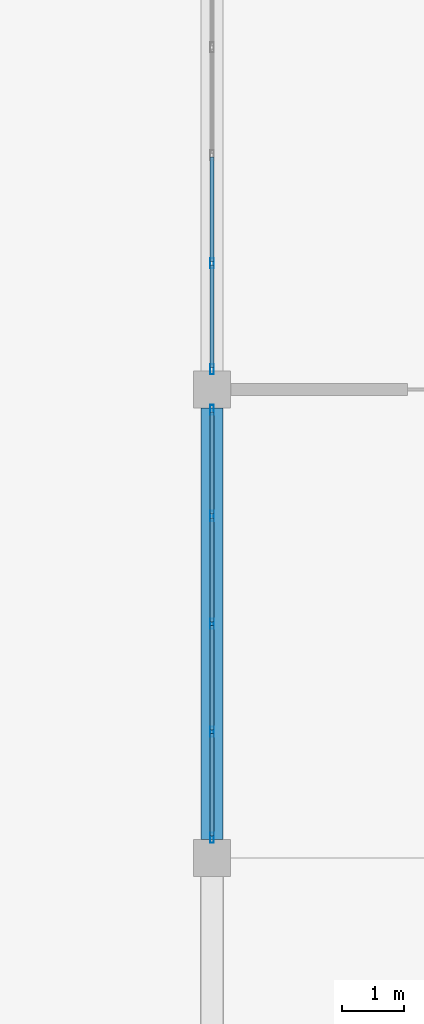
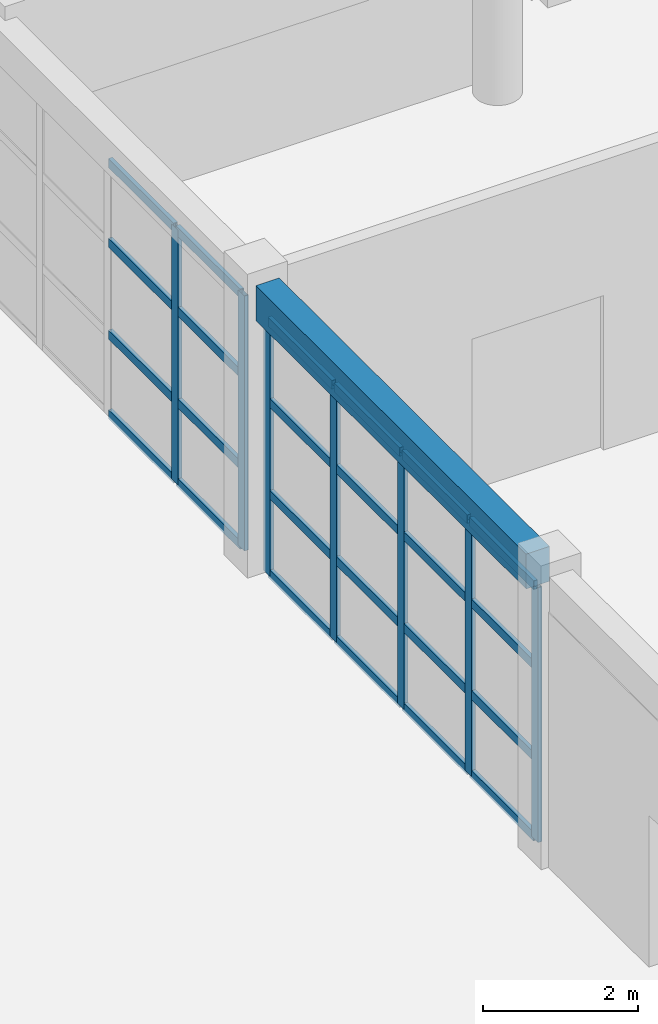
# One storey, part 8 of 32: 31 members, 1 beam, 2 elements without a shape of their own.
"""IFC4 building model written with IfcOpenShell, lengths in metres."""

from ifc_helpers import new_model, si_unit, direction, frame, origin, origin_2d, place, context, subcontext, project, spatial, rectangle, hollow_rectangle, extrude, material, material_profile, profile_set, type_object, element, aggregate, save


model = new_model("IFC4")

# Units and contexts
model_context = context("Model", 3, precision=1e-05, world=origin(), true_north=direction((0.0, 1.0)))
body_context = subcontext(model_context, "Body", "Model", "MODEL_VIEW")
ifc_project = project(units=[si_unit("LENGTHUNIT", "METRE"), si_unit("AREAUNIT", "SQUARE_METRE"), si_unit("VOLUMEUNIT", "CUBIC_METRE"), si_unit("PLANEANGLEUNIT", "RADIAN"), si_unit("MASSUNIT", "GRAM", prefix="KILO")], contexts=[model_context])

# Site, building, storey
site_placement = place(None, origin())
site = spatial("IfcSite", under=ifc_project, at=site_placement, CompositionType="ELEMENT")
building_placement = place(site_placement, origin())
building = spatial("IfcBuilding", under=site, at=building_placement, Name="Zantavel Square City Hall", CompositionType="ELEMENT")
storey_placement = place(building_placement, frame((0.0, 0.0, 23.699951171875)))
storey = spatial("IfcBuildingStorey", under=building, at=storey_placement, Name="L06", CompositionType="ELEMENT", Elevation=23.699951171875)

# Curtain wall, members
ifc_material_1 = material(Name="Anodised aluminium 6063-T6", Category="aluminium")
curtain_wall_type = type_object("IfcCurtainWallType", Name="Curtain Wall TRV1 7000x4030", PredefinedType="USERDEFINED", material=ifc_material_1)
curtain_wall_1_placement = place(storey_placement, origin())
curtain_wall_1 = element("IfcCurtainWall", 1, at=curtain_wall_1_placement, inside=storey, type_object=curtain_wall_type, Name="L06 Glazed Curtain Wall CW-L06-144", ObjectType="GLAZED CURTAIN WALL", PredefinedType="USERDEFINED")
ifc_material_profile_1 = material_profile(ifc_material_1, hollow_rectangle(XDim=0.06005859375, YDim=0.1650390625, WallThickness=0.00390625, at=origin_2d()), Name="ALU 60x165x4")
ifc_profile_set_1 = profile_set([ifc_material_profile_1], Name="Anodised aluminium 6063-T6")
member_type_1 = type_object("IfcMemberType", Name="CW Council Gallery Mullion ALU 60x165x4", PredefinedType="MULLION", material=ifc_profile_set_1)
member_1_placement = place(storey_placement, frame((64.0, 53.530029296875, 0.0), z_axis=(0.0, 0.0, 1.0), x_axis=(-1.0, 0.0, 0.0)))
member_1 = element("IfcMember", 2, at=member_1_placement, type_object=member_type_1, Name="CW-144 mullion 1", PredefinedType="MULLION", context=body_context, shape_type="SweptSolid", body=[
    extrude(hollow_rectangle(XDim=0.06005859375, YDim=0.1650390625, WallThickness=0.00390625, at=origin_2d()), origin(), (0.0, 0.0, 1.0), 4.030029296875),
])
member_2_placement = place(storey_placement, frame((64.0, 55.25, 0.0), z_axis=(0.0, 0.0, 1.0), x_axis=(-1.0, 0.0, 0.0)))
member_2 = element("IfcMember", 3, at=member_2_placement, type_object=member_type_1, Name="CW-144 mullion 2", PredefinedType="MULLION", context=body_context, shape_type="SweptSolid", body=[
    extrude(hollow_rectangle(XDim=0.06005859375, YDim=0.1650390625, WallThickness=0.00390625, at=origin_2d()), origin(), (0.0, 0.0, 1.0), 4.030029296875),
])

curtain_wall_2_placement = place(storey_placement, origin())
curtain_wall_2 = element("IfcCurtainWall", 4, at=curtain_wall_2_placement, inside=storey, type_object=curtain_wall_type, Name="L06 Glazed Curtain Wall CW-L06-159", ObjectType="GLAZED CURTAIN WALL", PredefinedType="USERDEFINED")
member_3_placement = place(storey_placement, frame((64.0, 45.929931640625, 0.0), z_axis=(0.0, 0.0, 1.0), x_axis=(-1.0, 0.0, 0.0)))
member_3 = element("IfcMember", 5, at=member_3_placement, type_object=member_type_1, Name="CW-159 mullion 1", PredefinedType="MULLION", context=body_context, shape_type="SweptSolid", body=[
    extrude(hollow_rectangle(XDim=0.06005859375, YDim=0.1650390625, WallThickness=0.00390625, at=origin_2d()), origin(), (0.0, 0.0, 1.0), 4.030029296875),
])
member_4_placement = place(storey_placement, frame((64.0, 47.64990234375, 0.0), z_axis=(0.0, 0.0, 1.0), x_axis=(-1.0, 0.0, 0.0)))
member_4 = element("IfcMember", 6, at=member_4_placement, type_object=member_type_1, Name="CW-159 mullion 2", PredefinedType="MULLION", context=body_context, shape_type="SweptSolid", body=[
    extrude(hollow_rectangle(XDim=0.06005859375, YDim=0.1650390625, WallThickness=0.00390625, at=origin_2d()), origin(), (0.0, 0.0, 1.0), 4.030029296875),
])
member_5_placement = place(storey_placement, frame((64.0, 49.39990234375, 0.0), z_axis=(0.0, 0.0, 1.0), x_axis=(-1.0, 0.0, 0.0)))
member_5 = element("IfcMember", 7, at=member_5_placement, type_object=member_type_1, Name="CW-159 mullion 3", PredefinedType="MULLION", context=body_context, shape_type="SweptSolid", body=[
    extrude(hollow_rectangle(XDim=0.06005859375, YDim=0.1650390625, WallThickness=0.00390625, at=origin_2d()), origin(), (0.0, 0.0, 1.0), 4.030029296875),
])
member_6_placement = place(storey_placement, frame((64.0, 51.14990234375, 0.0), z_axis=(0.0, 0.0, 1.0), x_axis=(-1.0, 0.0, 0.0)))
member_6 = element("IfcMember", 8, at=member_6_placement, type_object=member_type_1, Name="CW-159 mullion 4", PredefinedType="MULLION", context=body_context, shape_type="SweptSolid", body=[
    extrude(hollow_rectangle(XDim=0.06005859375, YDim=0.1650390625, WallThickness=0.00390625, at=origin_2d()), origin(), (0.0, 0.0, 1.0), 4.030029296875),
])
member_7_placement = place(storey_placement, frame((64.0, 52.8701171875, 0.0), z_axis=(0.0, 0.0, 1.0), x_axis=(-1.0, 0.0, 0.0)))
member_7 = element("IfcMember", 9, at=member_7_placement, type_object=member_type_1, Name="CW-159 mullion 5", PredefinedType="MULLION", context=body_context, shape_type="SweptSolid", body=[
    extrude(hollow_rectangle(XDim=0.06005859375, YDim=0.1650390625, WallThickness=0.00390625, at=origin_2d()), origin(), (0.0, 0.0, 1.0), 4.030029296875),
])

# Member
ifc_material_profile_2 = material_profile(ifc_material_1, hollow_rectangle(XDim=0.06005859375, YDim=0.139892578125, WallThickness=0.00390625, at=origin_2d()), Name="ALU 60x140x4")
ifc_profile_set_2 = profile_set([ifc_material_profile_2], Name="Anodised aluminium 6063-T6")
member_type_2 = type_object("IfcMemberType", Name="CW Transom ALU 60x140x4", PredefinedType="USERDEFINED", material=ifc_profile_set_2)
member_8_placement = place(storey_placement, frame((64.0, 53.56005859375, 0.030029296875), z_axis=(0.0, 1.0, 0.0), x_axis=(-1.0, 0.0, 0.0)))
member_8 = element("IfcMember", 10, at=member_8_placement, type_object=member_type_2, Name="CW-144 transom 1.1", ObjectType="TRANSOM", PredefinedType="USERDEFINED", context=body_context, shape_type="SweptSolid", body=[
    extrude(hollow_rectangle(XDim=0.06005859375, YDim=0.139892578125, WallThickness=0.00390625, at=origin_2d()), origin(), (0.0, 0.0, 1.0), 1.659912109375),
])

member_9_placement = place(storey_placement, frame((64.0, 53.56005859375, 1.2900390625), z_axis=(0.0, 1.0, 0.0), x_axis=(-1.0, 0.0, 0.0)))
member_9 = element("IfcMember", 11, at=member_9_placement, type_object=member_type_2, Name="CW-144 transom 1.2", ObjectType="TRANSOM", PredefinedType="USERDEFINED", context=body_context, shape_type="SweptSolid", body=[
    extrude(hollow_rectangle(XDim=0.06005859375, YDim=0.139892578125, WallThickness=0.00390625, at=origin_2d()), origin(), (0.0, 0.0, 1.0), 1.659912109375),
])

member_10_placement = place(storey_placement, frame((64.0, 53.56005859375, 2.739990234375), z_axis=(0.0, 1.0, 0.0), x_axis=(-1.0, 0.0, 0.0)))
member_10 = element("IfcMember", 12, at=member_10_placement, type_object=member_type_2, Name="CW-144 transom 1.3", ObjectType="TRANSOM", PredefinedType="USERDEFINED", context=body_context, shape_type="SweptSolid", body=[
    extrude(hollow_rectangle(XDim=0.06005859375, YDim=0.139892578125, WallThickness=0.00390625, at=origin_2d()), origin(), (0.0, 0.0, 1.0), 1.659912109375),
])

member_11_placement = place(storey_placement, frame((64.0, 53.56005859375, 4.0), z_axis=(0.0, 1.0, 0.0), x_axis=(-1.0, 0.0, 0.0)))
member_11 = element("IfcMember", 13, at=member_11_placement, type_object=member_type_2, Name="CW-144 transom 1.4", ObjectType="TRANSOM", PredefinedType="USERDEFINED", context=body_context, shape_type="SweptSolid", body=[
    extrude(hollow_rectangle(XDim=0.06005859375, YDim=0.139892578125, WallThickness=0.00390625, at=origin_2d()), origin(), (0.0, 0.0, 1.0), 1.659912109375),
])

member_12_placement = place(storey_placement, frame((64.0, 55.280029296875, 0.030029296875), z_axis=(0.0, 1.0, 0.0), x_axis=(-1.0, 0.0, 0.0)))
member_12 = element("IfcMember", 14, at=member_12_placement, type_object=member_type_2, Name="CW-144 transom 2.1", ObjectType="TRANSOM", PredefinedType="USERDEFINED", context=body_context, shape_type="SweptSolid", body=[
    extrude(hollow_rectangle(XDim=0.06005859375, YDim=0.139892578125, WallThickness=0.00390625, at=origin_2d()), origin(), (0.0, 0.0, 1.0), 1.68994140625),
])

member_13_placement = place(storey_placement, frame((64.0, 55.280029296875, 1.2900390625), z_axis=(0.0, 1.0, 0.0), x_axis=(-1.0, 0.0, 0.0)))
member_13 = element("IfcMember", 15, at=member_13_placement, type_object=member_type_2, Name="CW-144 transom 2.2", ObjectType="TRANSOM", PredefinedType="USERDEFINED", context=body_context, shape_type="SweptSolid", body=[
    extrude(hollow_rectangle(XDim=0.06005859375, YDim=0.139892578125, WallThickness=0.00390625, at=origin_2d()), origin(), (0.0, 0.0, 1.0), 1.68994140625),
])

member_14_placement = place(storey_placement, frame((64.0, 55.280029296875, 2.739990234375), z_axis=(0.0, 1.0, 0.0), x_axis=(-1.0, 0.0, 0.0)))
member_14 = element("IfcMember", 16, at=member_14_placement, type_object=member_type_2, Name="CW-144 transom 2.3", ObjectType="TRANSOM", PredefinedType="USERDEFINED", context=body_context, shape_type="SweptSolid", body=[
    extrude(hollow_rectangle(XDim=0.06005859375, YDim=0.139892578125, WallThickness=0.00390625, at=origin_2d()), origin(), (0.0, 0.0, 1.0), 1.68994140625),
])

member_15_placement = place(storey_placement, frame((64.0, 55.280029296875, 4.0), z_axis=(0.0, 1.0, 0.0), x_axis=(-1.0, 0.0, 0.0)))
member_15 = element("IfcMember", 17, at=member_15_placement, type_object=member_type_2, Name="CW-144 transom 2.4", ObjectType="TRANSOM", PredefinedType="USERDEFINED", context=body_context, shape_type="SweptSolid", body=[
    extrude(hollow_rectangle(XDim=0.06005859375, YDim=0.139892578125, WallThickness=0.00390625, at=origin_2d()), origin(), (0.0, 0.0, 1.0), 1.68994140625),
])

aggregate(curtain_wall_1, [member_1, member_2, member_8, member_9, member_10, member_11, member_12, member_13, member_14, member_15])

member_16_placement = place(storey_placement, frame((64.0, 45.9599609375, 0.030029296875), z_axis=(0.0, 1.0, 0.0), x_axis=(-1.0, 0.0, 0.0)))
member_16 = element("IfcMember", 18, at=member_16_placement, type_object=member_type_2, Name="CW-159 transom 1.1", ObjectType="TRANSOM", PredefinedType="USERDEFINED", context=body_context, shape_type="SweptSolid", body=[
    extrude(hollow_rectangle(XDim=0.06005859375, YDim=0.139892578125, WallThickness=0.00390625, at=origin_2d()), origin(), (0.0, 0.0, 1.0), 1.66015625),
])

member_17_placement = place(storey_placement, frame((64.0, 45.9599609375, 1.2900390625), z_axis=(0.0, 1.0, 0.0), x_axis=(-1.0, 0.0, 0.0)))
member_17 = element("IfcMember", 19, at=member_17_placement, type_object=member_type_2, Name="CW-159 transom 1.2", ObjectType="TRANSOM", PredefinedType="USERDEFINED", context=body_context, shape_type="SweptSolid", body=[
    extrude(hollow_rectangle(XDim=0.06005859375, YDim=0.139892578125, WallThickness=0.00390625, at=origin_2d()), origin(), (0.0, 0.0, 1.0), 1.66015625),
])

member_18_placement = place(storey_placement, frame((64.0, 45.9599609375, 2.739990234375), z_axis=(0.0, 1.0, 0.0), x_axis=(-1.0, 0.0, 0.0)))
member_18 = element("IfcMember", 20, at=member_18_placement, type_object=member_type_2, Name="CW-159 transom 1.3", ObjectType="TRANSOM", PredefinedType="USERDEFINED", context=body_context, shape_type="SweptSolid", body=[
    extrude(hollow_rectangle(XDim=0.06005859375, YDim=0.139892578125, WallThickness=0.00390625, at=origin_2d()), origin(), (0.0, 0.0, 1.0), 1.66015625),
])

member_19_placement = place(storey_placement, frame((64.0, 45.9599609375, 4.0), z_axis=(0.0, 1.0, 0.0), x_axis=(-1.0, 0.0, 0.0)))
member_19 = element("IfcMember", 21, at=member_19_placement, type_object=member_type_2, Name="CW-159 transom 1.4", ObjectType="TRANSOM", PredefinedType="USERDEFINED", context=body_context, shape_type="SweptSolid", body=[
    extrude(hollow_rectangle(XDim=0.06005859375, YDim=0.139892578125, WallThickness=0.00390625, at=origin_2d()), origin(), (0.0, 0.0, 1.0), 1.66015625),
])

member_20_placement = place(storey_placement, frame((64.0, 47.679931640625, 0.030029296875), z_axis=(0.0, 1.0, 0.0), x_axis=(-1.0, 0.0, 0.0)))
member_20 = element("IfcMember", 22, at=member_20_placement, type_object=member_type_2, Name="CW-159 transom 2.1", ObjectType="TRANSOM", PredefinedType="USERDEFINED", context=body_context, shape_type="SweptSolid", body=[
    extrude(hollow_rectangle(XDim=0.06005859375, YDim=0.139892578125, WallThickness=0.00390625, at=origin_2d()), origin(), (0.0, 0.0, 1.0), 1.690185546875),
])

member_21_placement = place(storey_placement, frame((64.0, 47.679931640625, 1.2900390625), z_axis=(0.0, 1.0, 0.0), x_axis=(-1.0, 0.0, 0.0)))
member_21 = element("IfcMember", 23, at=member_21_placement, type_object=member_type_2, Name="CW-159 transom 2.2", ObjectType="TRANSOM", PredefinedType="USERDEFINED", context=body_context, shape_type="SweptSolid", body=[
    extrude(hollow_rectangle(XDim=0.06005859375, YDim=0.139892578125, WallThickness=0.00390625, at=origin_2d()), origin(), (0.0, 0.0, 1.0), 1.690185546875),
])

member_22_placement = place(storey_placement, frame((64.0, 47.679931640625, 2.739990234375), z_axis=(0.0, 1.0, 0.0), x_axis=(-1.0, 0.0, 0.0)))
member_22 = element("IfcMember", 24, at=member_22_placement, type_object=member_type_2, Name="CW-159 transom 2.3", ObjectType="TRANSOM", PredefinedType="USERDEFINED", context=body_context, shape_type="SweptSolid", body=[
    extrude(hollow_rectangle(XDim=0.06005859375, YDim=0.139892578125, WallThickness=0.00390625, at=origin_2d()), origin(), (0.0, 0.0, 1.0), 1.690185546875),
])

member_23_placement = place(storey_placement, frame((64.0, 47.679931640625, 4.0), z_axis=(0.0, 1.0, 0.0), x_axis=(-1.0, 0.0, 0.0)))
member_23 = element("IfcMember", 25, at=member_23_placement, type_object=member_type_2, Name="CW-159 transom 2.4", ObjectType="TRANSOM", PredefinedType="USERDEFINED", context=body_context, shape_type="SweptSolid", body=[
    extrude(hollow_rectangle(XDim=0.06005859375, YDim=0.139892578125, WallThickness=0.00390625, at=origin_2d()), origin(), (0.0, 0.0, 1.0), 1.690185546875),
])

member_24_placement = place(storey_placement, frame((64.0, 49.429931640625, 0.030029296875), z_axis=(0.0, 1.0, 0.0), x_axis=(-1.0, 0.0, 0.0)))
member_24 = element("IfcMember", 26, at=member_24_placement, type_object=member_type_2, Name="CW-159 transom 3.1", ObjectType="TRANSOM", PredefinedType="USERDEFINED", context=body_context, shape_type="SweptSolid", body=[
    extrude(hollow_rectangle(XDim=0.06005859375, YDim=0.139892578125, WallThickness=0.00390625, at=origin_2d()), origin(), (0.0, 0.0, 1.0), 1.690185546875),
])

member_25_placement = place(storey_placement, frame((64.0, 49.429931640625, 1.2900390625), z_axis=(0.0, 1.0, 0.0), x_axis=(-1.0, 0.0, 0.0)))
member_25 = element("IfcMember", 27, at=member_25_placement, type_object=member_type_2, Name="CW-159 transom 3.2", ObjectType="TRANSOM", PredefinedType="USERDEFINED", context=body_context, shape_type="SweptSolid", body=[
    extrude(hollow_rectangle(XDim=0.06005859375, YDim=0.139892578125, WallThickness=0.00390625, at=origin_2d()), origin(), (0.0, 0.0, 1.0), 1.690185546875),
])

member_26_placement = place(storey_placement, frame((64.0, 49.429931640625, 2.739990234375), z_axis=(0.0, 1.0, 0.0), x_axis=(-1.0, 0.0, 0.0)))
member_26 = element("IfcMember", 28, at=member_26_placement, type_object=member_type_2, Name="CW-159 transom 3.3", ObjectType="TRANSOM", PredefinedType="USERDEFINED", context=body_context, shape_type="SweptSolid", body=[
    extrude(hollow_rectangle(XDim=0.06005859375, YDim=0.139892578125, WallThickness=0.00390625, at=origin_2d()), origin(), (0.0, 0.0, 1.0), 1.690185546875),
])

member_27_placement = place(storey_placement, frame((64.0, 49.429931640625, 4.0), z_axis=(0.0, 1.0, 0.0), x_axis=(-1.0, 0.0, 0.0)))
member_27 = element("IfcMember", 29, at=member_27_placement, type_object=member_type_2, Name="CW-159 transom 3.4", ObjectType="TRANSOM", PredefinedType="USERDEFINED", context=body_context, shape_type="SweptSolid", body=[
    extrude(hollow_rectangle(XDim=0.06005859375, YDim=0.139892578125, WallThickness=0.00390625, at=origin_2d()), origin(), (0.0, 0.0, 1.0), 1.690185546875),
])

member_28_placement = place(storey_placement, frame((64.0, 51.179931640625, 0.030029296875), z_axis=(0.0, 1.0, 0.0), x_axis=(-1.0, 0.0, 0.0)))
member_28 = element("IfcMember", 30, at=member_28_placement, type_object=member_type_2, Name="CW-159 transom 4.1", ObjectType="TRANSOM", PredefinedType="USERDEFINED", context=body_context, shape_type="SweptSolid", body=[
    extrude(hollow_rectangle(XDim=0.06005859375, YDim=0.139892578125, WallThickness=0.00390625, at=origin_2d()), origin(), (0.0, 0.0, 1.0), 1.66015625),
])

member_29_placement = place(storey_placement, frame((64.0, 51.179931640625, 1.2900390625), z_axis=(0.0, 1.0, 0.0), x_axis=(-1.0, 0.0, 0.0)))
member_29 = element("IfcMember", 31, at=member_29_placement, type_object=member_type_2, Name="CW-159 transom 4.2", ObjectType="TRANSOM", PredefinedType="USERDEFINED", context=body_context, shape_type="SweptSolid", body=[
    extrude(hollow_rectangle(XDim=0.06005859375, YDim=0.139892578125, WallThickness=0.00390625, at=origin_2d()), origin(), (0.0, 0.0, 1.0), 1.66015625),
])

member_30_placement = place(storey_placement, frame((64.0, 51.179931640625, 2.739990234375), z_axis=(0.0, 1.0, 0.0), x_axis=(-1.0, 0.0, 0.0)))
member_30 = element("IfcMember", 32, at=member_30_placement, type_object=member_type_2, Name="CW-159 transom 4.3", ObjectType="TRANSOM", PredefinedType="USERDEFINED", context=body_context, shape_type="SweptSolid", body=[
    extrude(hollow_rectangle(XDim=0.06005859375, YDim=0.139892578125, WallThickness=0.00390625, at=origin_2d()), origin(), (0.0, 0.0, 1.0), 1.66015625),
])

member_31_placement = place(storey_placement, frame((64.0, 51.179931640625, 4.0), z_axis=(0.0, 1.0, 0.0), x_axis=(-1.0, 0.0, 0.0)))
member_31 = element("IfcMember", 33, at=member_31_placement, type_object=member_type_2, Name="CW-159 transom 4.4", ObjectType="TRANSOM", PredefinedType="USERDEFINED", context=body_context, shape_type="SweptSolid", body=[
    extrude(hollow_rectangle(XDim=0.06005859375, YDim=0.139892578125, WallThickness=0.00390625, at=origin_2d()), origin(), (0.0, 0.0, 1.0), 1.66015625),
])

aggregate(curtain_wall_2, [member_3, member_4, member_5, member_6, member_7, member_16, member_17, member_18, member_19, member_20, member_21, member_22, member_23, member_24, member_25, member_26, member_27, member_28, member_29, member_30, member_31])

# Beam
ifc_material_2 = material(Name="Concrete C35/45", Category="concrete")
ifc_material_profile_3 = material_profile(ifc_material_2, rectangle(XDim=0.35009765625, YDim=0.550048828125, at=origin_2d()), Name="RC 350x550")
ifc_profile_set_3 = profile_set([ifc_material_profile_3], Name="Concrete C35/45")
beam_type = type_object("IfcBeamType", Name="Secondary Beam RC 350x550 C35/45", PredefinedType="BEAM", material=ifc_profile_set_3)
beam_placement = place(storey_placement, frame((64.0, 45.89990234375, 4.304931640625), z_axis=(0.0, 1.0, 0.0), x_axis=(-1.0, 0.0, 0.0)))
element("IfcBeam", 34, at=beam_placement, inside=storey, type_object=beam_type, Name="L06 Beam BMY-L06-0640-0456", PredefinedType="BEAM", context=body_context, shape_type="SweptSolid", body=[
    extrude(rectangle(XDim=0.35009765625, YDim=0.550048828125, at=origin_2d()), origin(), (0.0, 0.0, 1.0), 7.0),
])

save(model, "model.ifc")
